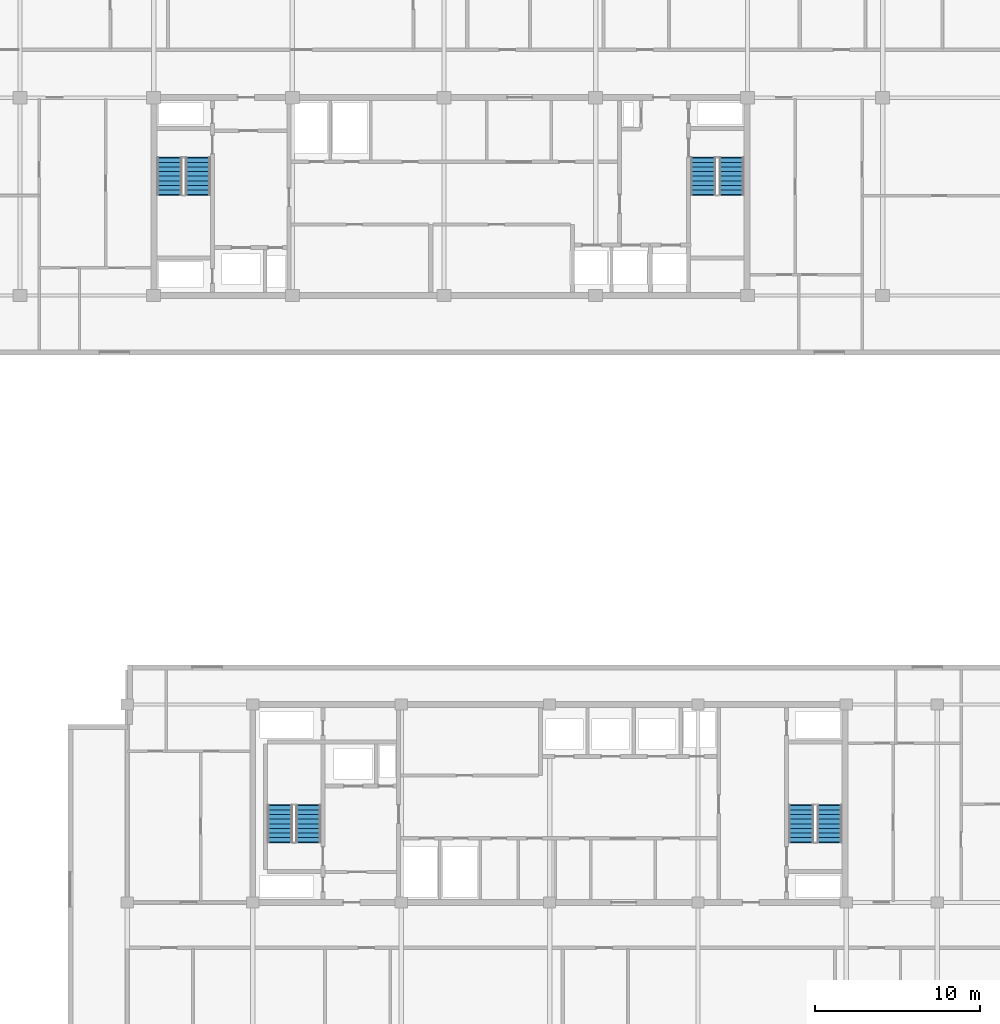
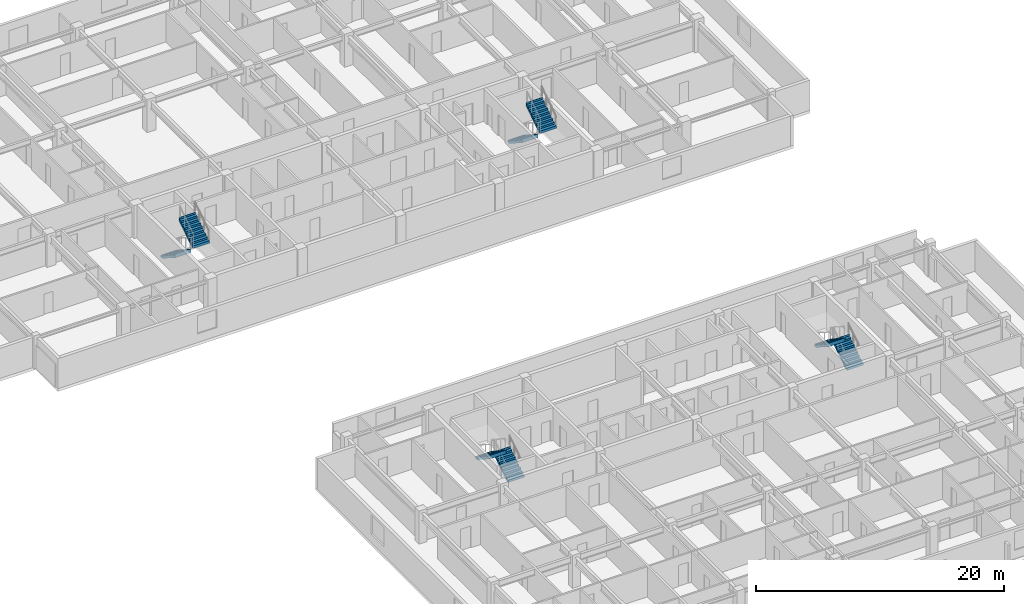
# One storey, part 16 of 21: 8 stair flights, 4 elements without a shape of their own.
"""IFC4 building model written with IfcOpenShell, lengths in metres."""

from ifc_helpers import new_model, si_unit, direction, frame, origin, place, context, subcontext, project, spatial, polyline, outline, extrude, material, type_object, element, aggregate, save


model = new_model("IFC4")

# Units and contexts
model_context = context("Model", 3, precision=1e-05, world=origin(), true_north=direction((0.0, 1.0)))
body_context = subcontext(model_context, "Body", "Model", "MODEL_VIEW")
ifc_project = project(units=[si_unit("LENGTHUNIT", "METRE"), si_unit("AREAUNIT", "SQUARE_METRE"), si_unit("VOLUMEUNIT", "CUBIC_METRE"), si_unit("PLANEANGLEUNIT", "RADIAN"), si_unit("MASSUNIT", "GRAM", prefix="KILO")], contexts=[model_context])

# Site, building, storey
site_placement = place(None, origin())
site = spatial("IfcSite", under=ifc_project, at=site_placement, CompositionType="ELEMENT")
building_placement = place(site_placement, origin())
building = spatial("IfcBuilding", under=site, at=building_placement, Name="Korimba Cascade Residences", CompositionType="ELEMENT")
storey_placement = place(building_placement, frame((0.0, 0.0, 188.10009765625)))
storey = spatial("IfcBuildingStorey", under=building, at=storey_placement, Name="L54", CompositionType="ELEMENT", Elevation=188.10009765625)

# Stair, stair flights
ifc_material = material(Name="Concrete C50/60", Category="concrete")
stair_type_1 = type_object("IfcStairType", Name="STR-W1-18R-1806", PredefinedType="HALF_TURN_STAIR", material=ifc_material)
stair_1_placement = place(storey_placement, origin())
stair_1 = element("IfcStair", 1, at=stair_1_placement, inside=storey, type_object=stair_type_1, Name="L54 Tower 1 West Fire Stair ST-W1", PredefinedType="HALF_TURN_STAIR")
stair_flight_type = type_object("IfcStairFlightType", Name="STF-DL-18R-1806-1520", PredefinedType="STRAIGHT", material=ifc_material)
stair_flight_1_placement = place(storey_placement, frame((77.06005859375, 63.550048828125, 0.0), z_axis=(0.0, 0.0, 1.0), x_axis=(0.0, -1.0, 0.0)))
stair_flight_1 = element("IfcStairFlight", 2, at=stair_flight_1_placement, type_object=stair_flight_type, Name="ST-W1 flight 1", NumberOfRisers=9, NumberOfTreads=8, PredefinedType="STRAIGHT", RiserHeight=0.180555556, TreadLength=0.28, context=body_context, shape_type="SweptSolid", body=[
    extrude(outline(polyline([(-0.0380859375, 0.0), (0.0, 0.1806640625), (0.280029296875, 0.1806640625), (0.280029296875, 0.361083984375), (0.56005859375, 0.361083984375), (0.56005859375, 0.541748046875), (0.840087890625, 0.541748046875), (0.840087890625, 0.72216796875), (1.1201171875, 0.72216796875), (1.1201171875, 0.90283203125), (1.39990234375, 0.90283203125), (1.39990234375, 1.083251953125), (1.679931640625, 1.083251953125), (1.679931640625, 1.263916015625), (1.9599609375, 1.263916015625), (1.9599609375, 1.4443359375), (2.239990234375, 1.4443359375), (2.239990234375, 1.625), (2.278076171875, 1.625), (2.278076171875, 1.26611328125), (0.276611328125, 0.0), (0.276611328125, -0.0380859375), (-0.0380859375, -0.0380859375), (-0.0380859375, 0.0)])), frame((0.0, 0.760009765625, 0.0), z_axis=(0.0, -1.0, 0.0), x_axis=(1.0, 0.0, 0.0)), (0.0, 0.0, 1.0), 1.52001953125),
])
stair_flight_2_placement = place(storey_placement, frame((78.780029296875, 61.31005859375, 1.625), z_axis=(0.0, 0.0, 1.0), x_axis=(0.0, 1.0, 0.0)))
stair_flight_2 = element("IfcStairFlight", 3, at=stair_flight_2_placement, type_object=stair_flight_type, Name="ST-W1 flight 2", NumberOfRisers=9, NumberOfTreads=8, PredefinedType="STRAIGHT", RiserHeight=0.180555556, TreadLength=0.28, context=body_context, shape_type="SweptSolid", body=[
    extrude(outline(polyline([(-0.0380859375, 0.0), (0.0, 0.1806640625), (0.280029296875, 0.1806640625), (0.280029296875, 0.361083984375), (0.56005859375, 0.361083984375), (0.56005859375, 0.541748046875), (0.840087890625, 0.541748046875), (0.840087890625, 0.72216796875), (1.1201171875, 0.72216796875), (1.1201171875, 0.90283203125), (1.39990234375, 0.90283203125), (1.39990234375, 1.083251953125), (1.679931640625, 1.083251953125), (1.679931640625, 1.263916015625), (1.9599609375, 1.263916015625), (1.9599609375, 1.4443359375), (2.239990234375, 1.4443359375), (2.239990234375, 1.625), (2.278076171875, 1.625), (2.278076171875, 1.26611328125), (0.276611328125, 0.0), (0.276611328125, -0.0380859375), (-0.0380859375, -0.0380859375), (-0.0380859375, 0.0)])), frame((0.0, 0.760009765625, 0.0), z_axis=(0.0, -1.0, 0.0), x_axis=(1.0, 0.0, 0.0)), (0.0, 0.0, 1.0), 1.52001953125),
])
aggregate(stair_1, [stair_flight_1, stair_flight_2])

stair_type_2 = type_object("IfcStairType", Name="STR-W2-18R-1806", PredefinedType="HALF_TURN_STAIR", material=ifc_material)
stair_2_placement = place(storey_placement, origin())
stair_2 = element("IfcStair", 4, at=stair_2_placement, inside=storey, type_object=stair_type_2, Name="L54 Tower 1 East Fire Stair ST-W2", PredefinedType="HALF_TURN_STAIR")
stair_flight_3_placement = place(storey_placement, frame((109.419921875, 63.550048828125, 0.0), z_axis=(0.0, 0.0, 1.0), x_axis=(0.0, -1.0, 0.0)))
stair_flight_3 = element("IfcStairFlight", 5, at=stair_flight_3_placement, type_object=stair_flight_type, Name="ST-W2 flight 1", NumberOfRisers=9, NumberOfTreads=8, PredefinedType="STRAIGHT", RiserHeight=0.180555556, TreadLength=0.28, context=body_context, shape_type="SweptSolid", body=[
    extrude(outline(polyline([(-0.0380859375, 0.0), (0.0, 0.1806640625), (0.280029296875, 0.1806640625), (0.280029296875, 0.361083984375), (0.56005859375, 0.361083984375), (0.56005859375, 0.541748046875), (0.840087890625, 0.541748046875), (0.840087890625, 0.72216796875), (1.1201171875, 0.72216796875), (1.1201171875, 0.90283203125), (1.39990234375, 0.90283203125), (1.39990234375, 1.083251953125), (1.679931640625, 1.083251953125), (1.679931640625, 1.263916015625), (1.9599609375, 1.263916015625), (1.9599609375, 1.4443359375), (2.239990234375, 1.4443359375), (2.239990234375, 1.625), (2.278076171875, 1.625), (2.278076171875, 1.26611328125), (0.276611328125, 0.0), (0.276611328125, -0.0380859375), (-0.0380859375, -0.0380859375), (-0.0380859375, 0.0)])), frame((0.0, 0.760009765625, 0.0), z_axis=(0.0, -1.0, 0.0), x_axis=(1.0, 0.0, 0.0)), (0.0, 0.0, 1.0), 1.52001953125),
])
stair_flight_4_placement = place(storey_placement, frame((111.139892578125, 61.31005859375, 1.625), z_axis=(0.0, 0.0, 1.0), x_axis=(0.0, 1.0, 0.0)))
stair_flight_4 = element("IfcStairFlight", 6, at=stair_flight_4_placement, type_object=stair_flight_type, Name="ST-W2 flight 2", NumberOfRisers=9, NumberOfTreads=8, PredefinedType="STRAIGHT", RiserHeight=0.180555556, TreadLength=0.28, context=body_context, shape_type="SweptSolid", body=[
    extrude(outline(polyline([(-0.0380859375, 0.0), (0.0, 0.1806640625), (0.280029296875, 0.1806640625), (0.280029296875, 0.361083984375), (0.56005859375, 0.361083984375), (0.56005859375, 0.541748046875), (0.840087890625, 0.541748046875), (0.840087890625, 0.72216796875), (1.1201171875, 0.72216796875), (1.1201171875, 0.90283203125), (1.39990234375, 0.90283203125), (1.39990234375, 1.083251953125), (1.679931640625, 1.083251953125), (1.679931640625, 1.263916015625), (1.9599609375, 1.263916015625), (1.9599609375, 1.4443359375), (2.239990234375, 1.4443359375), (2.239990234375, 1.625), (2.278076171875, 1.625), (2.278076171875, 1.26611328125), (0.276611328125, 0.0), (0.276611328125, -0.0380859375), (-0.0380859375, -0.0380859375), (-0.0380859375, 0.0)])), frame((0.0, 0.760009765625, 0.0), z_axis=(0.0, -1.0, 0.0), x_axis=(1.0, 0.0, 0.0)), (0.0, 0.0, 1.0), 1.52001953125),
])
aggregate(stair_2, [stair_flight_3, stair_flight_4])

stair_type_3 = type_object("IfcStairType", Name="STR-E1-18R-1806", PredefinedType="HALF_TURN_STAIR", material=ifc_material)
stair_3_placement = place(storey_placement, origin())
stair_3 = element("IfcStair", 7, at=stair_3_placement, inside=storey, type_object=stair_type_3, Name="L54 Tower 2 West Fire Stair ST-E1", PredefinedType="HALF_TURN_STAIR")
stair_flight_5_placement = place(storey_placement, frame((85.47998046875, 22.050048828125, 0.0), z_axis=(0.0, 0.0, 1.0), x_axis=(0.0, 1.0, 0.0)))
stair_flight_5 = element("IfcStairFlight", 8, at=stair_flight_5_placement, type_object=stair_flight_type, Name="ST-E1 flight 1", NumberOfRisers=9, NumberOfTreads=8, PredefinedType="STRAIGHT", RiserHeight=0.180555556, TreadLength=0.28, context=body_context, shape_type="SweptSolid", body=[
    extrude(outline(polyline([(-0.0380859375, 0.0), (0.0, 0.1806640625), (0.280029296875, 0.1806640625), (0.280029296875, 0.361083984375), (0.56005859375, 0.361083984375), (0.56005859375, 0.541748046875), (0.840087890625, 0.541748046875), (0.840087890625, 0.72216796875), (1.1201171875, 0.72216796875), (1.1201171875, 0.90283203125), (1.39990234375, 0.90283203125), (1.39990234375, 1.083251953125), (1.679931640625, 1.083251953125), (1.679931640625, 1.263916015625), (1.9599609375, 1.263916015625), (1.9599609375, 1.4443359375), (2.239990234375, 1.4443359375), (2.239990234375, 1.625), (2.278076171875, 1.625), (2.278076171875, 1.26611328125), (0.276611328125, 0.0), (0.276611328125, -0.0380859375), (-0.0380859375, -0.0380859375), (-0.0380859375, 0.0)])), frame((0.0, 0.760009765625, 0.0), z_axis=(0.0, -1.0, 0.0), x_axis=(1.0, 0.0, 0.0)), (0.0, 0.0, 1.0), 1.52001953125),
])
stair_flight_6_placement = place(storey_placement, frame((83.760009765625, 24.2900390625, 1.625), z_axis=(0.0, 0.0, 1.0), x_axis=(0.0, -1.0, 0.0)))
stair_flight_6 = element("IfcStairFlight", 9, at=stair_flight_6_placement, type_object=stair_flight_type, Name="ST-E1 flight 2", NumberOfRisers=9, NumberOfTreads=8, PredefinedType="STRAIGHT", RiserHeight=0.180555556, TreadLength=0.28, context=body_context, shape_type="SweptSolid", body=[
    extrude(outline(polyline([(-0.0380859375, 0.0), (0.0, 0.1806640625), (0.280029296875, 0.1806640625), (0.280029296875, 0.361083984375), (0.56005859375, 0.361083984375), (0.56005859375, 0.541748046875), (0.840087890625, 0.541748046875), (0.840087890625, 0.72216796875), (1.1201171875, 0.72216796875), (1.1201171875, 0.90283203125), (1.39990234375, 0.90283203125), (1.39990234375, 1.083251953125), (1.679931640625, 1.083251953125), (1.679931640625, 1.263916015625), (1.9599609375, 1.263916015625), (1.9599609375, 1.4443359375), (2.239990234375, 1.4443359375), (2.239990234375, 1.625), (2.278076171875, 1.625), (2.278076171875, 1.26611328125), (0.276611328125, 0.0), (0.276611328125, -0.0380859375), (-0.0380859375, -0.0380859375), (-0.0380859375, 0.0)])), frame((0.0, 0.760009765625, 0.0), z_axis=(0.0, -1.0, 0.0), x_axis=(1.0, 0.0, 0.0)), (0.0, 0.0, 1.0), 1.52001953125),
])
aggregate(stair_3, [stair_flight_5, stair_flight_6])

stair_type_4 = type_object("IfcStairType", Name="STR-E2-18R-1806", PredefinedType="HALF_TURN_STAIR", material=ifc_material)
stair_4_placement = place(storey_placement, origin())
stair_4 = element("IfcStair", 10, at=stair_4_placement, inside=storey, type_object=stair_type_4, Name="L54 Tower 2 East Fire Stair ST-E2", PredefinedType="HALF_TURN_STAIR")
stair_flight_7_placement = place(storey_placement, frame((117.080078125, 22.050048828125, 0.0), z_axis=(0.0, 0.0, 1.0), x_axis=(0.0, 1.0, 0.0)))
stair_flight_7 = element("IfcStairFlight", 11, at=stair_flight_7_placement, type_object=stair_flight_type, Name="ST-E2 flight 1", NumberOfRisers=9, NumberOfTreads=8, PredefinedType="STRAIGHT", RiserHeight=0.180555556, TreadLength=0.28, context=body_context, shape_type="SweptSolid", body=[
    extrude(outline(polyline([(-0.0380859375, 0.0), (0.0, 0.1806640625), (0.280029296875, 0.1806640625), (0.280029296875, 0.361083984375), (0.56005859375, 0.361083984375), (0.56005859375, 0.541748046875), (0.840087890625, 0.541748046875), (0.840087890625, 0.72216796875), (1.1201171875, 0.72216796875), (1.1201171875, 0.90283203125), (1.39990234375, 0.90283203125), (1.39990234375, 1.083251953125), (1.679931640625, 1.083251953125), (1.679931640625, 1.263916015625), (1.9599609375, 1.263916015625), (1.9599609375, 1.4443359375), (2.239990234375, 1.4443359375), (2.239990234375, 1.625), (2.278076171875, 1.625), (2.278076171875, 1.26611328125), (0.276611328125, 0.0), (0.276611328125, -0.0380859375), (-0.0380859375, -0.0380859375), (-0.0380859375, 0.0)])), frame((0.0, 0.760009765625, 0.0), z_axis=(0.0, -1.0, 0.0), x_axis=(1.0, 0.0, 0.0)), (0.0, 0.0, 1.0), 1.52001953125),
])
stair_flight_8_placement = place(storey_placement, frame((115.360107421875, 24.2900390625, 1.625), z_axis=(0.0, 0.0, 1.0), x_axis=(0.0, -1.0, 0.0)))
stair_flight_8 = element("IfcStairFlight", 12, at=stair_flight_8_placement, type_object=stair_flight_type, Name="ST-E2 flight 2", NumberOfRisers=9, NumberOfTreads=8, PredefinedType="STRAIGHT", RiserHeight=0.180555556, TreadLength=0.28, context=body_context, shape_type="SweptSolid", body=[
    extrude(outline(polyline([(-0.0380859375, 0.0), (0.0, 0.1806640625), (0.280029296875, 0.1806640625), (0.280029296875, 0.361083984375), (0.56005859375, 0.361083984375), (0.56005859375, 0.541748046875), (0.840087890625, 0.541748046875), (0.840087890625, 0.72216796875), (1.1201171875, 0.72216796875), (1.1201171875, 0.90283203125), (1.39990234375, 0.90283203125), (1.39990234375, 1.083251953125), (1.679931640625, 1.083251953125), (1.679931640625, 1.263916015625), (1.9599609375, 1.263916015625), (1.9599609375, 1.4443359375), (2.239990234375, 1.4443359375), (2.239990234375, 1.625), (2.278076171875, 1.625), (2.278076171875, 1.26611328125), (0.276611328125, 0.0), (0.276611328125, -0.0380859375), (-0.0380859375, -0.0380859375), (-0.0380859375, 0.0)])), frame((0.0, 0.760009765625, 0.0), z_axis=(0.0, -1.0, 0.0), x_axis=(1.0, 0.0, 0.0)), (0.0, 0.0, 1.0), 1.52001953125),
])
aggregate(stair_4, [stair_flight_7, stair_flight_8])

save(model, "model.ifc")
